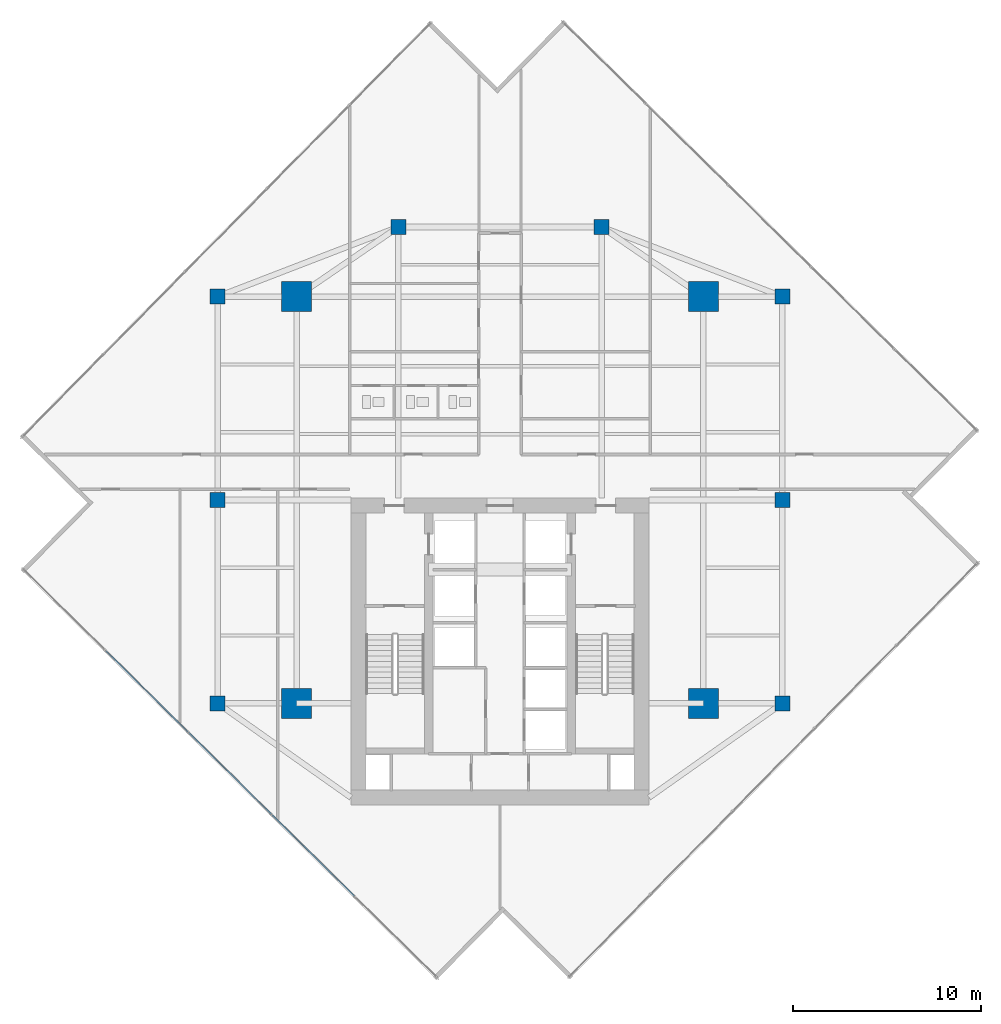
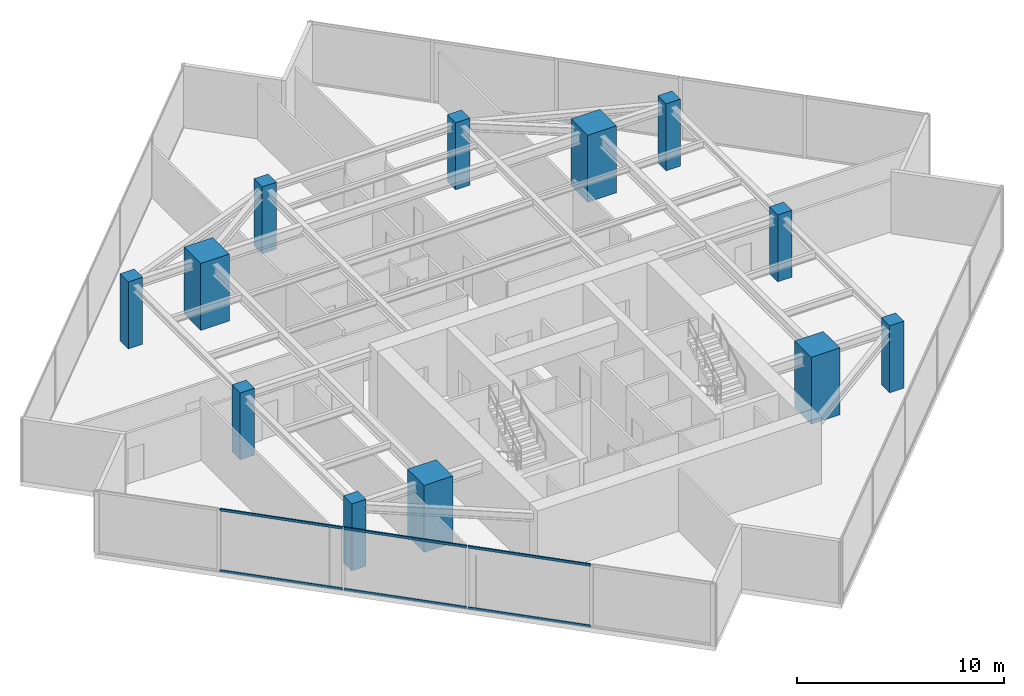
# One storey, part 1 of 24: 12 columns, 6 members, 1 element without a shape of its own.
"""IFC4 building model written with IfcOpenShell, lengths in metres."""

from ifc_helpers import new_model, si_unit, direction, frame, origin, origin_2d, place, context, subcontext, project, spatial, rectangle, hollow_rectangle, extrude, source, transform, mapped, material, material_profile, profile_set, type_object, type_shapes, element, aggregate, save


model = new_model("IFC4")

# Units and contexts
model_context = context("Model", 3, precision=1e-05, world=origin(), true_north=direction((0.0, 1.0)))
body_context = subcontext(model_context, "Body", "Model", "MODEL_VIEW")
ifc_project = project(units=[si_unit("LENGTHUNIT", "METRE"), si_unit("AREAUNIT", "SQUARE_METRE"), si_unit("VOLUMEUNIT", "CUBIC_METRE"), si_unit("PLANEANGLEUNIT", "RADIAN"), si_unit("MASSUNIT", "GRAM", prefix="KILO")], contexts=[model_context])

# Site, building, storey
site_placement = place(None, origin())
site = spatial("IfcSite", under=ifc_project, at=site_placement, CompositionType="ELEMENT")
building_placement = place(site_placement, origin())
building = spatial("IfcBuilding", under=site, at=building_placement, Name="Krantzveldt Concourse Tower", CompositionType="ELEMENT")
storey_placement = place(building_placement, frame((0.0, 0.0, 234.949951171875)))
storey = spatial("IfcBuildingStorey", under=building, at=storey_placement, Name="L57", CompositionType="ELEMENT", Elevation=234.949951171875)

# Columns
ifc_material_1 = material(Name="Concrete C50/60", Category="concrete")
ifc_material_profile_1 = material_profile(ifc_material_1, rectangle(XDim=1.60009765625, YDim=1.60009765625, at=origin_2d()), Name="Concrete C50/60", Category="concrete")
ifc_profile_set_1 = profile_set([ifc_material_profile_1], Name="Concrete C50/60 - RC 1600x1600")
column_type_1 = type_object("IfcColumnType", Name="COL-MC-1600", PredefinedType="USERDEFINED", material=ifc_profile_set_1)
shared_shape_1 = source(origin(), body_context, "Body", "SweptSolid", [
    extrude(rectangle(XDim=1.60009765625, YDim=1.60009765625, at=origin_2d()), origin(), (0.0, 0.0, 1.0), 3.949951171875),
])
type_shapes(column_type_1, [shared_shape_1])
for number, where, z_axis, x_axis, name in (
    (1, (25.199951171875, 15.89990234375, 0.0), (0.0, 0.0, 1.0), (1.0, 0.0, 0.0), "MC-SW-L57"),
    (2, (46.800048828125, 15.89990234375, 0.0), (0.0, 0.0, 1.0), (1.0, 0.0, 0.0), "MC-SE-L57"),
    (3, (46.800048828125, 37.5, 0.0), (0.0, 0.0, 1.0), (1.0, 0.0, 0.0), "MC-NE-L57"),
    (4, (25.199951171875, 37.5, 0.0), (0.0, 0.0, 1.0), (1.0, 0.0, 0.0), "MC-NW-L57"),
):
    element("IfcColumn", number, at=place(storey_placement, frame(where, z_axis=z_axis, x_axis=x_axis)), inside=storey, type_object=column_type_1, Name=name, ObjectType="MEGA COLUMN", PredefinedType="USERDEFINED", context=body_context, shape_type="MappedRepresentation", body=[
        mapped(shared_shape_1, transform((0.0, 0.0, 0.0), x_axis=(1.0, 0.0, 0.0), y_axis=(0.0, 1.0, 0.0), z_axis=(0.0, 0.0, 1.0), scale=1.0)),
    ])
ifc_material_profile_2 = material_profile(ifc_material_1, rectangle(XDim=0.800048828125, YDim=0.800048828125, at=origin_2d()), Name="Concrete C50/60", Category="concrete")
ifc_profile_set_2 = profile_set([ifc_material_profile_2], Name="Concrete C50/60 - RC 800x800")
column_type_2 = type_object("IfcColumnType", Name="COL-C-Z4", PredefinedType="COLUMN", material=ifc_profile_set_2)
shared_shape_2 = source(origin(), body_context, "Body", "SweptSolid", [
    extrude(rectangle(XDim=0.800048828125, YDim=0.800048828125, at=origin_2d()), origin(), (0.0, 0.0, 1.0), 3.949951171875),
])
type_shapes(column_type_2, [shared_shape_2])
for number, where, z_axis, x_axis, name in (
    (5, (21.0, 15.89990234375, 0.0), (0.0, 0.0, 1.0), (1.0, 0.0, 0.0), "PC-R01-L57"),
    (6, (21.0, 26.699951171875, 0.0), (0.0, 0.0, 1.0), (1.0, 0.0, 0.0), "PC-R02-L57"),
    (7, (21.0, 37.5, 0.0), (0.0, 0.0, 1.0), (1.0, 0.0, 0.0), "PC-R03-L57"),
    (8, (30.60009765625, 41.199951171875, 0.0), (0.0, 0.0, 1.0), (1.0, 0.0, 0.0), "PC-R04-L57"),
    (9, (41.39990234375, 41.199951171875, 0.0), (0.0, 0.0, 1.0), (1.0, 0.0, 0.0), "PC-R05-L57"),
    (10, (51.0, 37.5, 0.0), (0.0, 0.0, 1.0), (1.0, 0.0, 0.0), "PC-R06-L57"),
    (11, (51.0, 26.699951171875, 0.0), (0.0, 0.0, 1.0), (1.0, 0.0, 0.0), "PC-R07-L57"),
    (12, (51.0, 15.89990234375, 0.0), (0.0, 0.0, 1.0), (1.0, 0.0, 0.0), "PC-R08-L57"),
):
    element("IfcColumn", number, at=place(storey_placement, frame(where, z_axis=z_axis, x_axis=x_axis)), inside=storey, type_object=column_type_2, Name=name, PredefinedType="COLUMN", context=body_context, shape_type="MappedRepresentation", body=[
        mapped(shared_shape_2, transform((0.0, 0.0, 0.0), x_axis=(1.0, 0.0, 0.0), y_axis=(0.0, 1.0, 0.0), z_axis=(0.0, 0.0, 1.0), scale=1.0)),
    ])

# Curtain wall, members
ifc_material_2 = material(Name="Anodised aluminium 6063-T6", Category="aluminium")
curtain_wall_type = type_object("IfcCurtainWallType", Name="CW3", PredefinedType="USERDEFINED", material=ifc_material_2)
curtain_wall_placement = place(storey_placement, origin())
curtain_wall = element("IfcCurtainWall", 13, at=curtain_wall_placement, inside=storey, type_object=curtain_wall_type, Name="CW-L57-F04", ObjectType="UNITISED CURTAIN WALL", PredefinedType="USERDEFINED")
ifc_material_profile_3 = material_profile(ifc_material_2, hollow_rectangle(XDim=0.070068359375, YDim=0.139892578125, WallThickness=0.0048828125, at=origin_2d()), Name="Anodised aluminium 6063-T6", Category="aluminium")
ifc_profile_set_3 = profile_set([ifc_material_profile_3], Name="Anodised aluminium 6063-T6 - ALU-TRAN 140x70x5")
member_type = type_object("IfcMemberType", Name="CW-TRN-150", PredefinedType="USERDEFINED", material=ifc_profile_set_3)
shared_shape_3 = source(origin(), body_context, "Body", "SweptSolid", [
    extrude(hollow_rectangle(XDim=0.070068359375, YDim=0.139892578125, WallThickness=0.0048828125, at=origin_2d()), origin(), (0.0, 0.0, 1.0), 6.130126953125),
])
member_1_placement = place(storey_placement, frame((19.481201171875, 14.326904296875, 0.03515625), z_axis=(0.711731293564, -0.702451824513, 0.0), x_axis=(0.702451824513, 0.711731293564, 0.0)))
member_1 = element("IfcMember", 14, at=member_1_placement, type_object=member_type, Name="CW-Z34 transom 3.1", ObjectType="TRANSOM", PredefinedType="USERDEFINED", context=body_context, shape_type="MappedRepresentation", body=[
    mapped(shared_shape_3, transform((0.0, 0.0, 0.0), x_axis=(1.0, 0.0, 0.0), y_axis=(0.0, 1.0, 0.0), z_axis=(0.0, 0.0, 1.0), scale=1.0)),
])
member_2_placement = place(storey_placement, frame((19.481201171875, 14.326904296875, 3.635009765625), z_axis=(0.711731293564, -0.702451824513, 0.0), x_axis=(0.702451824513, 0.711731293564, 0.0)))
member_2 = element("IfcMember", 15, at=member_2_placement, type_object=member_type, Name="CW-Z34 transom 3.2", ObjectType="TRANSOM", PredefinedType="USERDEFINED", context=body_context, shape_type="MappedRepresentation", body=[
    mapped(shared_shape_3, transform((0.0, 0.0, 0.0), x_axis=(1.0, 0.0, 0.0), y_axis=(0.0, 1.0, 0.0), z_axis=(0.0, 0.0, 1.0), scale=1.0)),
])
shared_shape_4 = source(origin(), body_context, "Body", "SweptSolid", [
    extrude(hollow_rectangle(XDim=0.070068359375, YDim=0.139892578125, WallThickness=0.0048828125, at=origin_2d()), origin(), (0.0, 0.0, 1.0), 6.1298828125),
])
type_shapes(member_type, [shared_shape_3, shared_shape_4])
member_3_placement = place(storey_placement, frame((15.068603515625, 18.68212890625, 0.03515625), z_axis=(0.71171164102, -0.702471736112, 0.0), x_axis=(0.702471736112, 0.71171164102, 0.0)))
member_3 = element("IfcMember", 16, at=member_3_placement, type_object=member_type, Name="CW-Z34 transom 2.1", ObjectType="TRANSOM", PredefinedType="USERDEFINED", context=body_context, shape_type="MappedRepresentation", body=[
    mapped(shared_shape_4, transform((0.0, 0.0, 0.0), x_axis=(1.0, 0.0, 0.0), y_axis=(0.0, 1.0, 0.0), z_axis=(0.0, 0.0, 1.0), scale=1.0)),
])
member_4_placement = place(storey_placement, frame((15.068603515625, 18.68212890625, 3.635009765625), z_axis=(0.71171164102, -0.702471736112, 0.0), x_axis=(0.702471736112, 0.71171164102, 0.0)))
member_4 = element("IfcMember", 17, at=member_4_placement, type_object=member_type, Name="CW-Z34 transom 2.2", ObjectType="TRANSOM", PredefinedType="USERDEFINED", context=body_context, shape_type="MappedRepresentation", body=[
    mapped(shared_shape_4, transform((0.0, 0.0, 0.0), x_axis=(1.0, 0.0, 0.0), y_axis=(0.0, 1.0, 0.0), z_axis=(0.0, 0.0, 1.0), scale=1.0)),
])
member_5_placement = place(storey_placement, frame((23.89404296875, 9.9716796875, 0.03515625), z_axis=(0.71171164102, -0.702471736112, 0.0), x_axis=(0.702471736112, 0.71171164102, 0.0)))
member_5 = element("IfcMember", 18, at=member_5_placement, type_object=member_type, Name="CW-Z34 transom 4.1", ObjectType="TRANSOM", PredefinedType="USERDEFINED", context=body_context, shape_type="MappedRepresentation", body=[
    mapped(shared_shape_4, transform((0.0, 0.0, 0.0), x_axis=(1.0, 0.0, 0.0), y_axis=(0.0, 1.0, 0.0), z_axis=(0.0, 0.0, 1.0), scale=1.0)),
])
member_6_placement = place(storey_placement, frame((23.89404296875, 9.9716796875, 3.635009765625), z_axis=(0.71171164102, -0.702471736112, 0.0), x_axis=(0.702471736112, 0.71171164102, 0.0)))
member_6 = element("IfcMember", 19, at=member_6_placement, type_object=member_type, Name="CW-Z34 transom 4.2", ObjectType="TRANSOM", PredefinedType="USERDEFINED", context=body_context, shape_type="MappedRepresentation", body=[
    mapped(shared_shape_4, transform((0.0, 0.0, 0.0), x_axis=(1.0, 0.0, 0.0), y_axis=(0.0, 1.0, 0.0), z_axis=(0.0, 0.0, 1.0), scale=1.0)),
])
aggregate(curtain_wall, [member_3, member_4, member_1, member_2, member_5, member_6])

save(model, "model.ifc")
